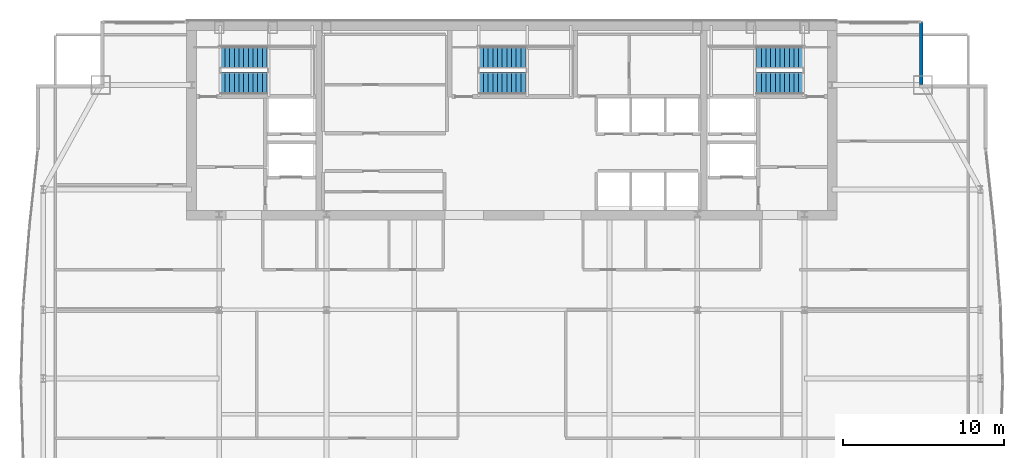
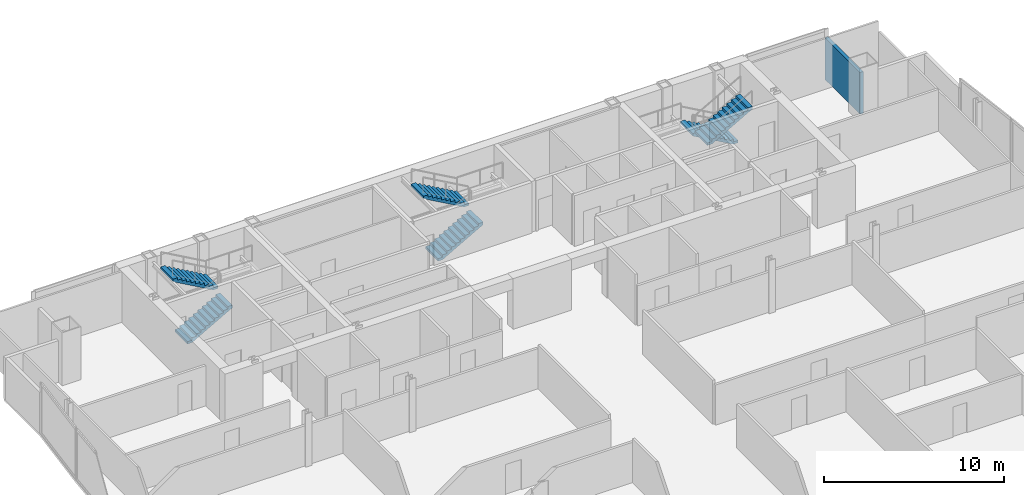
# One storey, part 30 of 32: 6 stair flights, 1 wall, 3 elements without a shape of their own.
"""IFC4 building model written with IfcOpenShell, lengths in metres."""

from ifc_helpers import new_model, si_unit, direction, frame, frame_2d, origin, place, context, subcontext, project, spatial, polyline, rectangle, outline, extrude, material, layer, layer_set, type_object, element, aggregate, save


model = new_model("IFC4")

# Units and contexts
model_context = context("Model", 3, precision=1e-05, world=origin(), true_north=direction((0.0, 1.0)))
body_context = subcontext(model_context, "Body", "Model", "MODEL_VIEW")
ifc_project = project(units=[si_unit("LENGTHUNIT", "METRE"), si_unit("AREAUNIT", "SQUARE_METRE"), si_unit("VOLUMEUNIT", "CUBIC_METRE"), si_unit("PLANEANGLEUNIT", "RADIAN"), si_unit("MASSUNIT", "GRAM", prefix="KILO")], contexts=[model_context])

# Site, building, storey
site_placement = place(None, origin())
site = spatial("IfcSite", under=ifc_project, at=site_placement, CompositionType="ELEMENT")
building_placement = place(site_placement, origin())
building = spatial("IfcBuilding", under=site, at=building_placement, Name="Khoronbel Lancet Exchange", CompositionType="ELEMENT")
storey_placement = place(building_placement, frame((0.0, 0.0, 192.199951171875)))
storey = spatial("IfcBuildingStorey", under=building, at=storey_placement, Name="L48", CompositionType="ELEMENT", Elevation=192.199951171875)

# Wall
ifc_material_1 = material(Name="Precast concrete C40/50", Category="concrete")
ifc_layer = layer(ifc_material_1, 0.25, Name="Precast concrete C40/50")
ifc_layer_set = layer_set([ifc_layer], Name="Precast concrete C40/50")
wall_type = type_object("IfcWallType", Name="WL-EXT250", PredefinedType="SOLIDWALL", material=ifc_layer_set)
wall_placement = place(storey_placement, frame((61.9599609375, 53.6298828125, 0.0), z_axis=(0.0, 0.0, 1.0), x_axis=(0.0, -1.0, 0.0)))
element("IfcWall", 1, at=wall_placement, inside=storey, type_object=wall_type, Name="Level L48 notched-corner limestone pier 14", PredefinedType="SOLIDWALL", context=body_context, shape_type="SweptSolid", body=[
    extrude(rectangle(XDim=3.909912109375, YDim=0.219970703125, at=frame_2d((1.955078125, 0.0))), origin(), (0.0, 0.0, 1.0), 2.830078125),
])

# Stair, stair flights
ifc_material_2 = material(Name="Concrete C40/50", Category="concrete")
stair_type = type_object("IfcStairType", Name="STR-CORE150", PredefinedType="HALF_TURN_STAIR", material=ifc_material_2)
stair_1_placement = place(storey_placement, origin())
stair_1 = element("IfcStair", 2, at=stair_1_placement, inside=storey, type_object=stair_type, Name="L48 Protected Exit Stair ST1", PredefinedType="HALF_TURN_STAIR")
stair_flight_type = type_object("IfcStairFlightType", Name="STF-150", PredefinedType="STRAIGHT", material=ifc_material_2)
stair_flight_1_placement = place(storey_placement, frame((18.300048828125, 49.81005859375, 0.0), z_axis=(0.0, 0.0, 1.0), x_axis=(1.0, 0.0, 0.0)))
stair_flight_1 = element("IfcStairFlight", 3, at=stair_flight_1_placement, type_object=stair_flight_type, Name="ST1 flight 1", NumberOfRisers=11, NumberOfTreads=10, PredefinedType="STRAIGHT", RiserHeight=0.163636364, TreadLength=0.29, context=body_context, shape_type="SweptSolid", body=[
    extrude(outline(polyline([(0.0, 0.0), (0.0, 0.16357421875), (0.2900390625, 0.16357421875), (0.2900390625, 0.327392578125), (0.580078125, 0.327392578125), (0.580078125, 0.490966796875), (0.8701171875, 0.490966796875), (0.8701171875, 0.654541015625), (1.159912109375, 0.654541015625), (1.159912109375, 0.818115234375), (1.449951171875, 0.818115234375), (1.449951171875, 0.98193359375), (1.739990234375, 0.98193359375), (1.739990234375, 1.1455078125), (2.030029296875, 1.1455078125), (2.030029296875, 1.30908203125), (2.320068359375, 1.30908203125), (2.320068359375, 1.47265625), (2.610107421875, 1.47265625), (2.610107421875, 1.636474609375), (2.89990234375, 1.636474609375), (2.89990234375, 1.800048828125), (2.89990234375, 1.46435546875), (0.304931640625, 0.0), (0.0, 0.0)])), frame((0.0, 0.68994140625, 0.0), z_axis=(0.0, -1.0, 0.0), x_axis=(1.0, 0.0, 0.0)), (0.0, 0.0, 1.0), 1.3798828125),
])
stair_flight_2_placement = place(storey_placement, frame((21.199951171875, 51.409912109375, 1.800048828125), z_axis=(0.0, 0.0, 1.0), x_axis=(-1.0, 0.0, 0.0)))
stair_flight_2 = element("IfcStairFlight", 4, at=stair_flight_2_placement, type_object=stair_flight_type, Name="ST1 flight 2", NumberOfRisers=11, NumberOfTreads=10, PredefinedType="STRAIGHT", RiserHeight=0.163636364, TreadLength=0.29, context=body_context, shape_type="SweptSolid", body=[
    extrude(outline(polyline([(0.0, 0.0), (0.0, 0.16357421875), (0.2900390625, 0.16357421875), (0.2900390625, 0.327392578125), (0.580078125, 0.327392578125), (0.580078125, 0.490966796875), (0.8701171875, 0.490966796875), (0.8701171875, 0.654541015625), (1.159912109375, 0.654541015625), (1.159912109375, 0.818115234375), (1.449951171875, 0.818115234375), (1.449951171875, 0.98193359375), (1.739990234375, 0.98193359375), (1.739990234375, 1.1455078125), (2.030029296875, 1.1455078125), (2.030029296875, 1.30908203125), (2.320068359375, 1.30908203125), (2.320068359375, 1.47265625), (2.610107421875, 1.47265625), (2.610107421875, 1.636474609375), (2.89990234375, 1.636474609375), (2.89990234375, 1.800048828125), (2.89990234375, 1.46435546875), (0.304931640625, 0.0), (0.0, 0.0)])), frame((0.0, 0.68994140625, 0.0), z_axis=(0.0, -1.0, 0.0), x_axis=(1.0, 0.0, 0.0)), (0.0, 0.0, 1.0), 1.3798828125),
])
aggregate(stair_1, [stair_flight_1, stair_flight_2])

stair_2_placement = place(storey_placement, origin())
stair_2 = element("IfcStair", 5, at=stair_2_placement, inside=storey, type_object=stair_type, Name="L48 Protected Exit Stair ST2", PredefinedType="HALF_TURN_STAIR")
stair_flight_3_placement = place(storey_placement, frame((54.60009765625, 51.409912109375, 0.0), z_axis=(0.0, 0.0, 1.0), x_axis=(-1.0, 0.0, 0.0)))
stair_flight_3 = element("IfcStairFlight", 6, at=stair_flight_3_placement, type_object=stair_flight_type, Name="ST2 flight 1", NumberOfRisers=11, NumberOfTreads=10, PredefinedType="STRAIGHT", RiserHeight=0.163636364, TreadLength=0.29, context=body_context, shape_type="SweptSolid", body=[
    extrude(outline(polyline([(0.0, 0.0), (0.0, 0.16357421875), (0.2900390625, 0.16357421875), (0.2900390625, 0.327392578125), (0.580078125, 0.327392578125), (0.580078125, 0.490966796875), (0.8701171875, 0.490966796875), (0.8701171875, 0.654541015625), (1.159912109375, 0.654541015625), (1.159912109375, 0.818115234375), (1.449951171875, 0.818115234375), (1.449951171875, 0.98193359375), (1.739990234375, 0.98193359375), (1.739990234375, 1.1455078125), (2.030029296875, 1.1455078125), (2.030029296875, 1.30908203125), (2.320068359375, 1.30908203125), (2.320068359375, 1.47265625), (2.610107421875, 1.47265625), (2.610107421875, 1.636474609375), (2.89990234375, 1.636474609375), (2.89990234375, 1.800048828125), (2.89990234375, 1.46435546875), (0.304931640625, 0.0), (0.0, 0.0)])), frame((0.0, 0.68994140625, 0.0), z_axis=(0.0, -1.0, 0.0), x_axis=(1.0, 0.0, 0.0)), (0.0, 0.0, 1.0), 1.3798828125),
])
stair_flight_4_placement = place(storey_placement, frame((51.699951171875, 49.81005859375, 1.800048828125), z_axis=(0.0, 0.0, 1.0), x_axis=(1.0, 0.0, 0.0)))
stair_flight_4 = element("IfcStairFlight", 7, at=stair_flight_4_placement, type_object=stair_flight_type, Name="ST2 flight 2", NumberOfRisers=11, NumberOfTreads=10, PredefinedType="STRAIGHT", RiserHeight=0.163636364, TreadLength=0.29, context=body_context, shape_type="SweptSolid", body=[
    extrude(outline(polyline([(0.0, 0.0), (0.0, 0.16357421875), (0.2900390625, 0.16357421875), (0.2900390625, 0.327392578125), (0.580078125, 0.327392578125), (0.580078125, 0.490966796875), (0.8701171875, 0.490966796875), (0.8701171875, 0.654541015625), (1.159912109375, 0.654541015625), (1.159912109375, 0.818115234375), (1.449951171875, 0.818115234375), (1.449951171875, 0.98193359375), (1.739990234375, 0.98193359375), (1.739990234375, 1.1455078125), (2.030029296875, 1.1455078125), (2.030029296875, 1.30908203125), (2.320068359375, 1.30908203125), (2.320068359375, 1.47265625), (2.610107421875, 1.47265625), (2.610107421875, 1.636474609375), (2.89990234375, 1.636474609375), (2.89990234375, 1.800048828125), (2.89990234375, 1.46435546875), (0.304931640625, 0.0), (0.0, 0.0)])), frame((0.0, 0.68994140625, 0.0), z_axis=(0.0, -1.0, 0.0), x_axis=(1.0, 0.0, 0.0)), (0.0, 0.0, 1.0), 1.3798828125),
])
aggregate(stair_2, [stair_flight_3, stair_flight_4])

stair_3_placement = place(storey_placement, origin())
stair_3 = element("IfcStair", 8, at=stair_3_placement, inside=storey, type_object=stair_type, Name="L48 Protected Exit Stair ST3", PredefinedType="HALF_TURN_STAIR")
stair_flight_5_placement = place(storey_placement, frame((34.39990234375, 49.81005859375, 0.0), z_axis=(0.0, 0.0, 1.0), x_axis=(1.0, 0.0, 0.0)))
stair_flight_5 = element("IfcStairFlight", 9, at=stair_flight_5_placement, type_object=stair_flight_type, Name="ST3 flight 1", NumberOfRisers=11, NumberOfTreads=10, PredefinedType="STRAIGHT", RiserHeight=0.163636364, TreadLength=0.29, context=body_context, shape_type="SweptSolid", body=[
    extrude(outline(polyline([(0.0, 0.0), (0.0, 0.16357421875), (0.2900390625, 0.16357421875), (0.2900390625, 0.327392578125), (0.580078125, 0.327392578125), (0.580078125, 0.490966796875), (0.8701171875, 0.490966796875), (0.8701171875, 0.654541015625), (1.159912109375, 0.654541015625), (1.159912109375, 0.818115234375), (1.449951171875, 0.818115234375), (1.449951171875, 0.98193359375), (1.739990234375, 0.98193359375), (1.739990234375, 1.1455078125), (2.030029296875, 1.1455078125), (2.030029296875, 1.30908203125), (2.320068359375, 1.30908203125), (2.320068359375, 1.47265625), (2.610107421875, 1.47265625), (2.610107421875, 1.636474609375), (2.89990234375, 1.636474609375), (2.89990234375, 1.800048828125), (2.89990234375, 1.46435546875), (0.304931640625, 0.0), (0.0, 0.0)])), frame((0.0, 0.68994140625, 0.0), z_axis=(0.0, -1.0, 0.0), x_axis=(1.0, 0.0, 0.0)), (0.0, 0.0, 1.0), 1.3798828125),
])
stair_flight_6_placement = place(storey_placement, frame((37.300048828125, 51.409912109375, 1.800048828125), z_axis=(0.0, 0.0, 1.0), x_axis=(-1.0, 0.0, 0.0)))
stair_flight_6 = element("IfcStairFlight", 10, at=stair_flight_6_placement, type_object=stair_flight_type, Name="ST3 flight 2", NumberOfRisers=11, NumberOfTreads=10, PredefinedType="STRAIGHT", RiserHeight=0.163636364, TreadLength=0.29, context=body_context, shape_type="SweptSolid", body=[
    extrude(outline(polyline([(0.0, 0.0), (0.0, 0.16357421875), (0.2900390625, 0.16357421875), (0.2900390625, 0.327392578125), (0.580078125, 0.327392578125), (0.580078125, 0.490966796875), (0.8701171875, 0.490966796875), (0.8701171875, 0.654541015625), (1.159912109375, 0.654541015625), (1.159912109375, 0.818115234375), (1.449951171875, 0.818115234375), (1.449951171875, 0.98193359375), (1.739990234375, 0.98193359375), (1.739990234375, 1.1455078125), (2.030029296875, 1.1455078125), (2.030029296875, 1.30908203125), (2.320068359375, 1.30908203125), (2.320068359375, 1.47265625), (2.610107421875, 1.47265625), (2.610107421875, 1.636474609375), (2.89990234375, 1.636474609375), (2.89990234375, 1.800048828125), (2.89990234375, 1.46435546875), (0.304931640625, 0.0), (0.0, 0.0)])), frame((0.0, 0.68994140625, 0.0), z_axis=(0.0, -1.0, 0.0), x_axis=(1.0, 0.0, 0.0)), (0.0, 0.0, 1.0), 1.3798828125),
])
aggregate(stair_3, [stair_flight_5, stair_flight_6])

save(model, "model.ifc")
